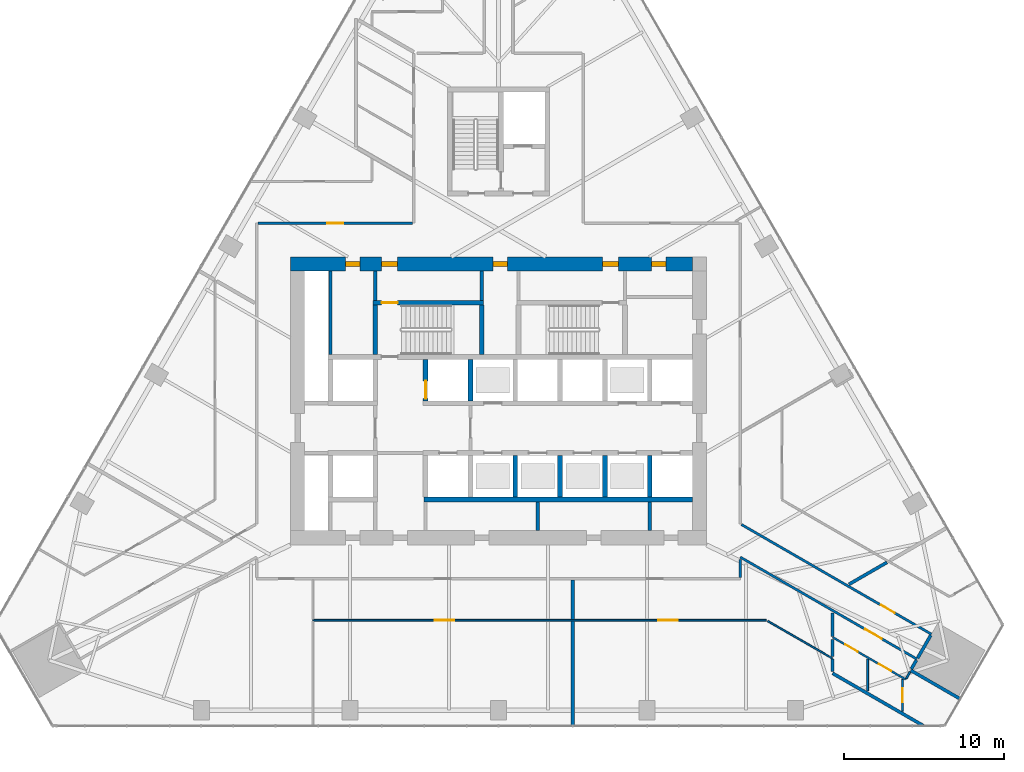
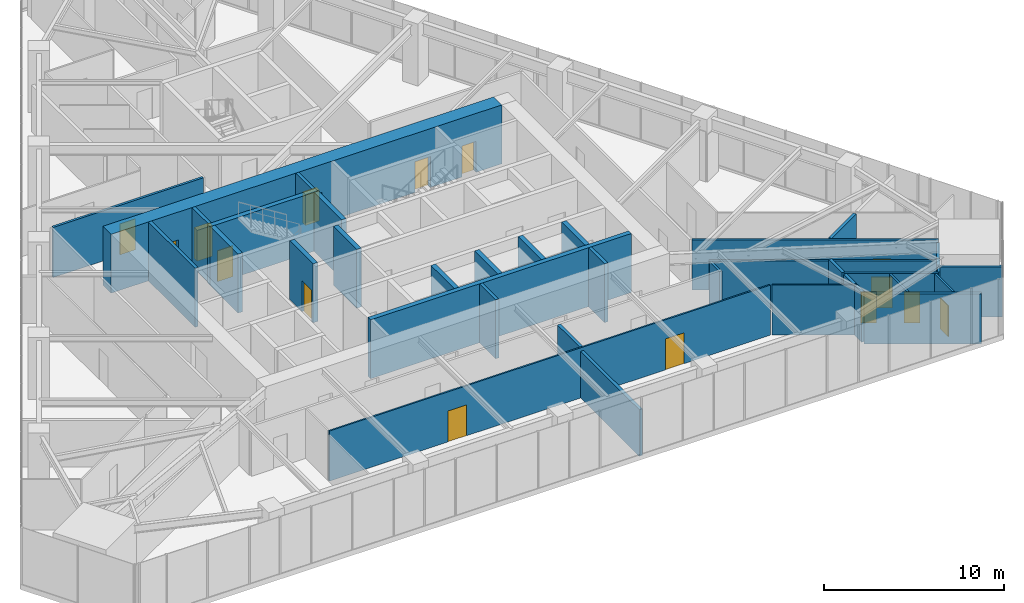
# One storey, part 17 of 22: 36 walls, 15 doors, 15 openings.
"""IFC4 building model written with IfcOpenShell, lengths in metres."""

from ifc_helpers import new_model, si_unit, direction, frame, frame_2d, origin, place, context, subcontext, project, spatial, rectangle, extrude, material, layer, layer_set, type_object, element, fill, save


model = new_model("IFC4")

# Units and contexts
model_context = context("Model", 3, precision=1e-05, world=origin(), true_north=direction((0.0, 1.0)))
body_context = subcontext(model_context, "Body", "Model", "MODEL_VIEW")
ifc_project = project(units=[si_unit("LENGTHUNIT", "METRE"), si_unit("AREAUNIT", "SQUARE_METRE"), si_unit("VOLUMEUNIT", "CUBIC_METRE"), si_unit("PLANEANGLEUNIT", "RADIAN"), si_unit("MASSUNIT", "GRAM", prefix="KILO")], contexts=[model_context])

# Site, building, storey
site_placement = place(None, origin())
site = spatial("IfcSite", under=ifc_project, at=site_placement, CompositionType="ELEMENT")
building_placement = place(site_placement, origin())
building = spatial("IfcBuilding", under=site, at=building_placement, Name="Firuza Gate Tower and Library", CompositionType="ELEMENT")
storey_placement = place(building_placement, frame((0.0, 0.0, 132.39990234375)))
storey = spatial("IfcBuildingStorey", under=building, at=storey_placement, Name="L30", CompositionType="ELEMENT", Elevation=132.39990234375)

# Walls
ifc_material_1 = material(Name="Plasterboard on steel studs", Category="steel")
ifc_layer_1 = layer(ifc_material_1, 0.199951171875)
ifc_layer_set_1 = layer_set([ifc_layer_1], Name="Core partition 200 EI 120")
wall_type_1 = type_object("IfcWallType", Name="Core partition 200 EI 120", PredefinedType="PARTITIONING", material=ifc_layer_set_1)
wall_1_placement = place(storey_placement, frame((64.5, 77.89990234375, 0.0), z_axis=(0.0, 0.0, 1.0), x_axis=(0.0, 1.0, 0.0)))
element("IfcWall", 1, at=wall_1_placement, inside=storey, type_object=wall_type_1, Name="Core partition L30 6", PredefinedType="PARTITIONING", context=body_context, shape_type="SweptSolid", body=[
    extrude(rectangle(XDim=5.2001953125, YDim=0.199951171875, at=frame_2d((2.60009765625, 0.0))), origin(), (0.0, 0.0, 1.0), 4.0),
])
for number, where, z_axis, x_axis, name in (
    (2, (77.449951171875, 66.89990234375, 0.0), (0.0, 0.0, 1.0), (0.0, 1.0, 0.0), "Core partition L30 14"),
    (3, (84.449951171875, 66.89990234375, 0.0), (0.0, 0.0, 1.0), (0.0, 1.0, 0.0), "Core partition L30 16"),
):
    element("IfcWall", number, at=place(storey_placement, frame(where, z_axis=z_axis, x_axis=x_axis)), inside=storey, type_object=wall_type_1, Name=name, PredefinedType="PARTITIONING", context=body_context, shape_type="SweptSolid", body=[
        extrude(rectangle(XDim=1.800048828125, YDim=0.199951171875, at=frame_2d((0.89990234375, 0.0))), origin(), (0.0, 0.0, 1.0), 4.0),
    ])
ifc_material_2 = material(Name="Plasterboard on steel studs", Category="steel")
ifc_layer_2 = layer(ifc_material_2, 0.199951171875)
ifc_layer_set_2 = layer_set([ifc_layer_2], Name="Core partition 200 EI 60")
wall_type_2 = type_object("IfcWallType", Name="Core partition 200 EI 60", PredefinedType="PARTITIONING", material=ifc_layer_set_2)
for number, where, z_axis, x_axis, name in (
    (4, (67.300048828125, 81.280029296875, 0.0), (0.0, 0.0, 1.0), (0.0, 1.0, 0.0), "Core partition L30 9"),
    (5, (73.9599609375, 81.280029296875, 0.0), (0.0, 0.0, 1.0), (0.0, 1.0, 0.0), "Core partition L30 12"),
):
    element("IfcWall", number, at=place(storey_placement, frame(where, z_axis=z_axis, x_axis=x_axis)), inside=storey, type_object=wall_type_2, Name=name, PredefinedType="PARTITIONING", context=body_context, shape_type="SweptSolid", body=[
        extrude(rectangle(XDim=1.820068359375, YDim=0.199951171875, at=frame_2d((0.91015625, 0.0))), origin(), (0.0, 0.0, 1.0), 4.0),
    ])
ifc_material_3 = material(Name="Concrete C80/95", Category="concrete")
ifc_layer_3 = layer(ifc_material_3, 0.300048828125)
ifc_layer_set_3 = layer_set([ifc_layer_3], Name="Core wall 300 C80/95")
wall_type_3 = type_object("IfcWallType", Name="Core wall 300 C80/95", PredefinedType="SHEAR", material=ifc_layer_set_3)
wall_2_placement = place(storey_placement, frame((70.35009765625, 68.85009765625, 0.0), z_axis=(0.0, 0.0, 1.0), x_axis=(1.0, 0.0, 0.0)))
element("IfcWall", 6, at=wall_2_placement, inside=storey, type_object=wall_type_3, Name="Core wall L30 6", PredefinedType="SHEAR", context=body_context, shape_type="SweptSolid", body=[
    extrude(rectangle(XDim=16.75, YDim=0.300048828125, at=frame_2d((8.375, 0.0))), origin(), (0.0, 0.0, 1.0), 4.0),
])

# Wall, opening, door
wall_3_placement = place(storey_placement, frame((70.449951171875, 75.0, 0.0), z_axis=(0.0, 0.0, 1.0), x_axis=(0.0, 1.0, 0.0)))
wall_3 = element("IfcWall", 7, at=wall_3_placement, inside=storey, type_object=wall_type_3, Name="Core wall L30 16", PredefinedType="SHEAR", context=body_context, shape_type="SweptSolid", body=[
    extrude(rectangle(XDim=2.60009765625, YDim=0.300048828125, at=frame_2d((1.300048828125, 0.0))), origin(), (0.0, 0.0, 1.0), 4.0),
])
opening_1_placement = place(wall_3_placement, frame((0.14990234375, 0.0, 0.0)))
opening_1 = element("IfcOpeningElement", 8, at=opening_1_placement, cuts=wall_3, Name="Opening LD-FF2-L30", PredefinedType="OPENING", context=body_context, shape_type="SweptSolid", body=[
    extrude(rectangle(XDim=1.10009765625, YDim=2.10009765625, at=frame_2d((0.550048828125, 1.050048828125))), frame((0.0, 0.16015625, 0.0), z_axis=(0.0, -1.0, 0.0), x_axis=(1.0, 0.0, 0.0)), (0.0, 0.0, 1.0), 0.320068359375),
])
ifc_material_4 = material(Name="Stainless steel", Category="steel")
door_type_1 = type_object("IfcDoorType", Name="Lift landing door 1100x2100", OperationType="DOUBLE_DOOR_SLIDING", PredefinedType="DOOR", material=ifc_material_4)
door_1_placement = place(opening_1_placement, origin())
door_1 = element("IfcDoor", 9, at=door_1_placement, inside=storey, type_object=door_type_1, Name="Landing door FF2 L30", OperationType="DOUBLE_DOOR_SLIDING", OverallHeight=2.10009765625, OverallWidth=1.10009765625, PredefinedType="DOOR", context=body_context, shape_type="SweptSolid", body=[
    extrude(rectangle(XDim=1.10009765625, YDim=2.10009765625, at=frame_2d((0.550048828125, 1.050048828125))), frame((0.0, 0.02490234375, 0.0), z_axis=(0.0, -1.0, 0.0), x_axis=(1.0, 0.0, 0.0)), (0.0, 0.0, 1.0), 0.050048828125),
])
fill(opening_1, door_1)

# Walls
for number, where, z_axis, x_axis, name in (
    (10, (73.25, 75.0, 0.0), (0.0, 0.0, 1.0), (0.0, 1.0, 0.0), "Core wall L30 18"),
    (11, (76.050048828125, 69.0, 0.0), (0.0, 0.0, 1.0), (0.0, 1.0, 0.0), "Core wall L30 19"),
    (12, (78.85009765625, 69.0, 0.0), (0.0, 0.0, 1.0), (0.0, 1.0, 0.0), "Core wall L30 21"),
    (13, (81.64990234375, 69.0, 0.0), (0.0, 0.0, 1.0), (0.0, 1.0, 0.0), "Core wall L30 23"),
    (14, (84.449951171875, 69.0, 0.0), (0.0, 0.0, 1.0), (0.0, 1.0, 0.0), "Core wall L30 25"),
):
    element("IfcWall", number, at=place(storey_placement, frame(where, z_axis=z_axis, x_axis=x_axis)), inside=storey, type_object=wall_type_3, Name=name, PredefinedType="SHEAR", context=body_context, shape_type="SweptSolid", body=[
        extrude(rectangle(XDim=2.60009765625, YDim=0.300048828125, at=frame_2d((1.300048828125, 0.0))), origin(), (0.0, 0.0, 1.0), 4.0),
    ])

# Wall, opening, door
wall_4_placement = place(storey_placement, frame((67.14990234375, 81.1298828125, 0.0), z_axis=(0.0, 0.0, 1.0), x_axis=(1.0, 0.0, 0.0)))
wall_4 = element("IfcWall", 15, at=wall_4_placement, inside=storey, type_object=wall_type_3, Name="Core wall L30 28", PredefinedType="SHEAR", context=body_context, shape_type="SweptSolid", body=[
    extrude(rectangle(XDim=6.91015625, YDim=0.300048828125, at=frame_2d((3.455078125, 0.0))), origin(), (0.0, 0.0, 1.0), 4.0),
])
opening_2_placement = place(wall_4_placement, frame((0.544921875, 0.0, 0.0)))
opening_2 = element("IfcOpeningElement", 16, at=opening_2_placement, cuts=wall_4, Name="Opening L30-K13", PredefinedType="OPENING", context=body_context, shape_type="SweptSolid", body=[
    extrude(rectangle(XDim=1.0, YDim=2.10009765625, at=frame_2d((0.5, 1.050048828125))), frame((0.0, 0.16015625, 0.0), z_axis=(0.0, -1.0, 0.0), x_axis=(1.0, 0.0, 0.0)), (0.0, 0.0, 1.0), 0.320068359375),
])
ifc_material_5 = material(Name="Steel", Category="steel")
door_type_2 = type_object("IfcDoorType", Name="Fire door 1000x2100 FD90", OperationType="NOTDEFINED", PredefinedType="DOOR", material=ifc_material_5)
door_2_placement = place(opening_2_placement, origin())
door_2 = element("IfcDoor", 17, at=door_2_placement, inside=storey, type_object=door_type_2, Name="Door L30-K13", OperationType="SINGLE_SWING_RIGHT", OverallHeight=2.10009765625, OverallWidth=1.0, PredefinedType="DOOR", context=body_context, shape_type="SweptSolid", body=[
    extrude(rectangle(XDim=1.0, YDim=2.10009765625, at=frame_2d((0.5, 1.050048828125))), frame((0.0, 0.02490234375, 0.0), z_axis=(0.0, -1.0, 0.0), x_axis=(1.0, 0.0, 0.0)), (0.0, 0.0, 1.0), 0.050048828125),
])
fill(opening_2, door_2)

# Walls
for number, where, z_axis, x_axis, name in (
    (18, (67.300048828125, 77.89990234375, 0.0), (0.0, 0.0, 1.0), (0.0, 1.0, 0.0), "Core wall L30 30"),
    (19, (73.9599609375, 77.89990234375, 0.0), (0.0, 0.0, 1.0), (0.0, 1.0, 0.0), "Core wall L30 31"),
):
    element("IfcWall", number, at=place(storey_placement, frame(where, z_axis=z_axis, x_axis=x_axis)), inside=storey, type_object=wall_type_3, Name=name, PredefinedType="SHEAR", context=body_context, shape_type="SweptSolid", body=[
        extrude(rectangle(XDim=3.080078125, YDim=0.300048828125, at=frame_2d((1.5400390625, 0.0))), origin(), (0.0, 0.0, 1.0), 4.0),
    ])

# Wall, openings, doors
ifc_material_6 = material(Name="Concrete C80/95", Category="concrete")
ifc_layer_4 = layer(ifc_material_6, 0.89990234375)
ifc_layer_set_4 = layer_set([ifc_layer_4], Name="Core wall 900 C80/95")
wall_type_4 = type_object("IfcWallType", Name="Core wall 900 C80/95", PredefinedType="SHEAR", material=ifc_layer_set_4)
wall_5_placement = place(storey_placement, frame((62.0, 83.550048828125, 0.0), z_axis=(0.0, 0.0, 1.0), x_axis=(1.0, 0.0, 0.0)))
wall_5 = element("IfcWall", 20, at=wall_5_placement, inside=storey, type_object=wall_type_4, Name="Core wall L30 2", PredefinedType="SHEAR", context=body_context, shape_type="SweptSolid", body=[
    extrude(rectangle(XDim=25.10009765625, YDim=0.89990234375, at=frame_2d((12.550048828125, 0.0))), origin(), (0.0, 0.0, 1.0), 4.0),
])
opening_3_placement = place(wall_5_placement, frame((5.695068359375, 0.0, 0.0)))
opening_3 = element("IfcOpeningElement", 21, at=opening_3_placement, cuts=wall_5, Name="Opening L30-K14", PredefinedType="OPENING", context=body_context, shape_type="SweptSolid", body=[
    extrude(rectangle(XDim=1.0, YDim=2.10009765625, at=frame_2d((0.5, 1.050048828125))), frame((0.0, 0.4599609375, 0.0), z_axis=(0.0, -1.0, 0.0), x_axis=(1.0, 0.0, 0.0)), (0.0, 0.0, 1.0), 0.919921875),
])
opening_4_placement = place(wall_5_placement, frame((19.5048828125, 0.0, 0.0)))
opening_4 = element("IfcOpeningElement", 22, at=opening_4_placement, cuts=wall_5, Name="Opening L30-K16", PredefinedType="OPENING", context=body_context, shape_type="SweptSolid", body=[
    extrude(rectangle(XDim=1.0, YDim=2.10009765625, at=frame_2d((0.5, 1.050048828125))), frame((0.0, 0.4599609375, 0.0), z_axis=(0.0, -1.0, 0.0), x_axis=(1.0, 0.0, 0.0)), (0.0, 0.0, 1.0), 0.919921875),
])
opening_5_placement = place(wall_5_placement, frame((3.449951171875, 0.0, 0.0)))
opening_5 = element("IfcOpeningElement", 23, at=opening_5_placement, cuts=wall_5, Name="Opening L30-K29", PredefinedType="OPENING", context=body_context, shape_type="SweptSolid", body=[
    extrude(rectangle(XDim=0.89990234375, YDim=2.10009765625, at=frame_2d((0.449951171875, 1.050048828125))), frame((0.0, 0.4599609375, 0.0), z_axis=(0.0, -1.0, 0.0), x_axis=(1.0, 0.0, 0.0)), (0.0, 0.0, 1.0), 0.919921875),
])
opening_6_placement = place(wall_5_placement, frame((12.64990234375, 0.0, 0.0)))
opening_6 = element("IfcOpeningElement", 24, at=opening_6_placement, cuts=wall_5, Name="Opening L30-K30", PredefinedType="OPENING", context=body_context, shape_type="SweptSolid", body=[
    extrude(rectangle(XDim=0.89990234375, YDim=2.10009765625, at=frame_2d((0.449951171875, 1.050048828125))), frame((0.0, 0.4599609375, 0.0), z_axis=(0.0, -1.0, 0.0), x_axis=(1.0, 0.0, 0.0)), (0.0, 0.0, 1.0), 0.919921875),
])
opening_7_placement = place(wall_5_placement, frame((22.550048828125, 0.0, 0.0)))
opening_7 = element("IfcOpeningElement", 25, at=opening_7_placement, cuts=wall_5, Name="Opening L30-K32", PredefinedType="OPENING", context=body_context, shape_type="SweptSolid", body=[
    extrude(rectangle(XDim=0.89990234375, YDim=2.10009765625, at=frame_2d((0.449951171875, 1.050048828125))), frame((0.0, 0.4599609375, 0.0), z_axis=(0.0, -1.0, 0.0), x_axis=(1.0, 0.0, 0.0)), (0.0, 0.0, 1.0), 0.919921875),
])
door_3_placement = place(opening_3_placement, origin())
door_3 = element("IfcDoor", 26, at=door_3_placement, inside=storey, type_object=door_type_2, Name="Door L30-K14", OperationType="SINGLE_SWING_LEFT", OverallHeight=2.10009765625, OverallWidth=1.0, PredefinedType="DOOR", context=body_context, shape_type="SweptSolid", body=[
    extrude(rectangle(XDim=1.0, YDim=2.10009765625, at=frame_2d((0.5, 1.050048828125))), frame((0.0, 0.169921875, 0.0), z_axis=(0.0, -1.0, 0.0), x_axis=(1.0, 0.0, 0.0)), (0.0, 0.0, 1.0), 0.33984375),
])
fill(opening_3, door_3)
door_4_placement = place(opening_4_placement, origin())
door_4 = element("IfcDoor", 27, at=door_4_placement, inside=storey, type_object=door_type_2, Name="Door L30-K16", OperationType="SINGLE_SWING_LEFT", OverallHeight=2.10009765625, OverallWidth=1.0, PredefinedType="DOOR", context=body_context, shape_type="SweptSolid", body=[
    extrude(rectangle(XDim=1.0, YDim=2.10009765625, at=frame_2d((0.5, 1.050048828125))), frame((0.0, 0.169921875, 0.0), z_axis=(0.0, -1.0, 0.0), x_axis=(1.0, 0.0, 0.0)), (0.0, 0.0, 1.0), 0.33984375),
])
fill(opening_4, door_4)
ifc_material_7 = material(Name="Steel", Category="steel")
door_type_3 = type_object("IfcDoorType", Name="Fire door 900x2100 FD30S", OperationType="NOTDEFINED", PredefinedType="DOOR", material=ifc_material_7)
door_5_placement = place(opening_5_placement, origin())
door_5 = element("IfcDoor", 28, at=door_5_placement, inside=storey, type_object=door_type_3, Name="Door L30-K29", OperationType="SINGLE_SWING_RIGHT", OverallHeight=2.10009765625, OverallWidth=0.89990234375, PredefinedType="DOOR", context=body_context, shape_type="SweptSolid", body=[
    extrude(rectangle(XDim=0.89990234375, YDim=2.10009765625, at=frame_2d((0.449951171875, 1.050048828125))), frame((0.0, 0.169921875, 0.0), z_axis=(0.0, -1.0, 0.0), x_axis=(1.0, 0.0, 0.0)), (0.0, 0.0, 1.0), 0.33984375),
])
fill(opening_5, door_5)
door_6_placement = place(opening_6_placement, origin())
door_6 = element("IfcDoor", 29, at=door_6_placement, inside=storey, type_object=door_type_3, Name="Door L30-K30", OperationType="SINGLE_SWING_LEFT", OverallHeight=2.10009765625, OverallWidth=0.89990234375, PredefinedType="DOOR", context=body_context, shape_type="SweptSolid", body=[
    extrude(rectangle(XDim=0.89990234375, YDim=2.10009765625, at=frame_2d((0.449951171875, 1.050048828125))), frame((0.0, 0.169921875, 0.0), z_axis=(0.0, -1.0, 0.0), x_axis=(1.0, 0.0, 0.0)), (0.0, 0.0, 1.0), 0.33984375),
])
fill(opening_6, door_6)
door_7_placement = place(opening_7_placement, origin())
door_7 = element("IfcDoor", 30, at=door_7_placement, inside=storey, type_object=door_type_3, Name="Door L30-K32", OperationType="SINGLE_SWING_LEFT", OverallHeight=2.10009765625, OverallWidth=0.89990234375, PredefinedType="DOOR", context=body_context, shape_type="SweptSolid", body=[
    extrude(rectangle(XDim=0.89990234375, YDim=2.10009765625, at=frame_2d((0.449951171875, 1.050048828125))), frame((0.0, 0.169921875, 0.0), z_axis=(0.0, -1.0, 0.0), x_axis=(1.0, 0.0, 0.0)), (0.0, 0.0, 1.0), 0.33984375),
])
fill(opening_7, door_7)

# Wall, opening, door
ifc_material_8 = material(Name="Gypsum board partition")
ifc_layer_5 = layer(ifc_material_8, 0.14990234375)
ifc_layer_set_5 = layer_set([ifc_layer_5], Name="Corridor wall 150 double board on steel studs")
wall_type_5 = type_object("IfcWallType", Name="Corridor wall 150 double board on steel studs", PredefinedType="PARTITIONING", material=ifc_layer_set_5)
wall_6_placement = place(storey_placement, frame((59.9755859375, 86.10009765625, 0.0), z_axis=(0.0, 0.0, 1.0), x_axis=(1.0, 0.0, 0.0)))
wall_6 = element("IfcWall", 31, at=wall_6_placement, inside=storey, type_object=wall_type_5, Name="f:L30:w002", PredefinedType="PARTITIONING", context=body_context, shape_type="SweptSolid", body=[
    extrude(rectangle(XDim=9.6494140625, YDim=0.14990234375, at=frame_2d((4.82470703125, 0.0))), origin(), (0.0, 0.0, 1.0), 3.400146484375),
])
opening_8_placement = place(wall_6_placement, frame((4.32470703125, 0.0, 0.0)))
opening_8 = element("IfcOpeningElement", 32, at=opening_8_placement, cuts=wall_6, Name="Opening L30-06", PredefinedType="OPENING", context=body_context, shape_type="SweptSolid", body=[
    extrude(rectangle(XDim=1.0, YDim=2.10009765625, at=frame_2d((0.5, 1.050048828125))), frame((0.0, 0.0849609375, 0.0), z_axis=(0.0, -1.0, 0.0), x_axis=(1.0, 0.0, 0.0)), (0.0, 0.0, 1.0), 0.169921875),
])
ifc_material_9 = material(Name="Steel door and timber leaf", Category="steel")
door_type_4 = type_object("IfcDoorType", Name="Fire door 1000 x 2100 steel frame, timber leaf", OperationType="NOTDEFINED", PredefinedType="DOOR", material=ifc_material_9)
door_8_placement = place(opening_8_placement, origin())
door_8 = element("IfcDoor", 33, at=door_8_placement, inside=storey, type_object=door_type_4, Name="f:L30:d006", OperationType="SINGLE_SWING_RIGHT", OverallHeight=2.10009765625, OverallWidth=1.0, PredefinedType="DOOR", context=body_context, shape_type="SweptSolid", body=[
    extrude(rectangle(XDim=1.0, YDim=2.10009765625, at=frame_2d((0.5, 1.050048828125))), frame((0.0, 0.02490234375, 0.0), z_axis=(0.0, -1.0, 0.0), x_axis=(1.0, 0.0, 0.0)), (0.0, 0.0, 1.0), 0.050048828125),
])
fill(opening_8, door_8)

# Wall
wall_7_placement = place(storey_placement, frame((90.10009765625, 63.97509765625, 0.0), z_axis=(0.0, 0.0, 1.0), x_axis=(0.0, 1.0, 0.0)))
element("IfcWall", 34, at=wall_7_placement, inside=storey, type_object=wall_type_5, Name="f:L30:w028", PredefinedType="PARTITIONING", context=body_context, shape_type="SweptSolid", body=[
    extrude(rectangle(XDim=1.131103515625, YDim=0.14990234375, at=frame_2d((0.5654296875, 0.0))), origin(), (0.0, 0.0, 1.0), 3.2470703125),
])

# Wall, opening, door
wall_8_placement = place(storey_placement, frame((90.175048828125, 67.278076171875, 0.0), z_axis=(0.0, 0.0, 1.0), x_axis=(0.866022903348, -0.500004330858, 0.0)))
wall_8 = element("IfcWall", 35, at=wall_8_placement, inside=storey, type_object=wall_type_5, Name="f:L30:w055", PredefinedType="PARTITIONING", context=body_context, shape_type="SweptSolid", body=[
    extrude(rectangle(XDim=13.6953125, YDim=0.14990234375, at=frame_2d((6.84765625, 0.0))), origin(), (0.0, 0.0, 1.0), 3.400146484375),
])
opening_9_placement = place(wall_8_placement, frame((10.049560546875, 0.0, 0.0)))
opening_9 = element("IfcOpeningElement", 36, at=opening_9_placement, cuts=wall_8, Name="Opening L30-27", PredefinedType="OPENING", context=body_context, shape_type="SweptSolid", body=[
    extrude(rectangle(XDim=1.0, YDim=2.10009765625, at=frame_2d((0.5, 1.050048828125))), frame((0.0, 0.0849609375, 0.0), z_axis=(0.0, -1.0, 0.0), x_axis=(1.0, 0.0, 0.0)), (0.0, 0.0, 1.0), 0.169921875),
])
door_9_placement = place(opening_9_placement, origin())
door_9 = element("IfcDoor", 37, at=door_9_placement, inside=storey, type_object=door_type_4, Name="f:L30:d027", OperationType="SINGLE_SWING_LEFT", OverallHeight=2.10009765625, OverallWidth=1.0, PredefinedType="DOOR", context=body_context, shape_type="SweptSolid", body=[
    extrude(rectangle(XDim=1.0, YDim=2.10009765625, at=frame_2d((0.5, 1.050048828125))), frame((0.0, 0.02490234375, 0.0), z_axis=(0.0, -1.0, 0.0), x_axis=(1.0, 0.0, 0.0)), (0.0, 0.0, 1.0), 0.050048828125),
])
fill(opening_9, door_9)

wall_9_placement = place(storey_placement, frame((101.1357421875, 58.871337890625, 0.0), z_axis=(0.0, 0.0, 1.0), x_axis=(-0.866020317169, 0.500008810174, 0.0)))
wall_9 = element("IfcWall", 38, at=wall_9_placement, inside=storey, type_object=wall_type_5, Name="f:L30:w056", PredefinedType="PARTITIONING", context=body_context, shape_type="SweptSolid", body=[
    extrude(rectangle(XDim=12.742919921875, YDim=0.14990234375, at=frame_2d((6.37158203125, 0.0))), origin(), (0.0, 0.0, 1.0), 3.2470703125),
])
opening_10_placement = place(wall_9_placement, frame((2.5458984375, 0.0, 0.0)))
opening_10 = element("IfcOpeningElement", 39, at=opening_10_placement, cuts=wall_9, Name="Opening L30-28", PredefinedType="OPENING", context=body_context, shape_type="SweptSolid", body=[
    extrude(rectangle(XDim=1.199951171875, YDim=2.10009765625, at=frame_2d((0.60009765625, 1.050048828125))), frame((0.0, 0.0849609375, 0.0), z_axis=(0.0, -1.0, 0.0), x_axis=(1.0, 0.0, 0.0)), (0.0, 0.0, 1.0), 0.169921875),
])
ifc_material_10 = material(Name="Steel door and timber leaf", Category="steel")
door_type_5 = type_object("IfcDoorType", Name="Fire door 1200 x 2100 steel frame, double leaf", OperationType="NOTDEFINED", PredefinedType="DOOR", material=ifc_material_10)
door_10_placement = place(opening_10_placement, origin())
door_10 = element("IfcDoor", 40, at=door_10_placement, inside=storey, type_object=door_type_5, Name="f:L30:d028", OperationType="DOUBLE_DOOR_SINGLE_SWING", OverallHeight=2.10009765625, OverallWidth=1.199951171875, PredefinedType="DOOR", context=body_context, shape_type="SweptSolid", body=[
    extrude(rectangle(XDim=1.199951171875, YDim=2.10009765625, at=frame_2d((0.60009765625, 1.050048828125))), frame((0.0, 0.02490234375, 0.0), z_axis=(0.0, -1.0, 0.0), x_axis=(1.0, 0.0, 0.0)), (0.0, 0.0, 1.0), 0.050048828125),
])
fill(opening_10, door_10)

# Walls
ifc_material_11 = material(Name="Gypsum board partition")
ifc_layer_6 = layer(ifc_material_11, 0.199951171875)
ifc_layer_set_6 = layer_set([ifc_layer_6], Name="Demising wall 200 acoustic double stud")
wall_type_6 = type_object("IfcWallType", Name="Demising wall 200 acoustic double stud", PredefinedType="PARTITIONING", material=ifc_layer_set_6)
wall_10_placement = place(storey_placement, frame((96.8896484375, 63.547607421875, 0.0), z_axis=(0.0, 0.0, 1.0), x_axis=(0.86604168154, 0.499971805041, 0.0)))
element("IfcWall", 41, at=wall_10_placement, inside=storey, type_object=wall_type_6, Name="f:L30:w011", PredefinedType="PARTITIONING", context=body_context, shape_type="SweptSolid", body=[
    extrude(rectangle(XDim=2.740478515625, YDim=0.199951171875, at=frame_2d((1.3701171875, 0.0))), origin(), (0.0, 0.0, 1.0), 3.400146484375),
])
wall_11_placement = place(storey_placement, frame((100.786376953125, 58.26513671875, 0.0), z_axis=(0.0, 0.0, 1.0), x_axis=(0.499880341542, 0.866094477606, 0.0)))
element("IfcWall", 42, at=wall_11_placement, inside=storey, type_object=wall_type_6, Name="f:L30:w023", PredefinedType="PARTITIONING", context=body_context, shape_type="SweptSolid", body=[
    extrude(rectangle(XDim=0.624755859375, YDim=0.199951171875, at=frame_2d((0.3125, 0.0))), origin(), (0.0, 0.0, 1.0), 3.400146484375),
])
wall_12_placement = place(storey_placement, frame((95.863037109375, 58.105224609375, 0.0), z_axis=(0.0, 0.0, 1.0), x_axis=(0.0, 1.0, 0.0)))
element("IfcWall", 43, at=wall_12_placement, inside=storey, type_object=wall_type_6, Name="f:L30:w026", PredefinedType="PARTITIONING", context=body_context, shape_type="SweptSolid", body=[
    extrude(rectangle(XDim=0.76513671875, YDim=0.199951171875, at=frame_2d((0.382568359375, 0.0))), origin(), (0.0, 0.0, 1.0), 3.400146484375),
])
wall_13_placement = place(storey_placement, frame((79.635986328125, 54.722900390625, 0.0), z_axis=(0.0, 0.0, 1.0), x_axis=(0.0, 1.0, 0.0)))
element("IfcWall", 44, at=wall_13_placement, inside=storey, type_object=wall_type_6, Name="f:L30:w031", PredefinedType="PARTITIONING", context=body_context, shape_type="SweptSolid", body=[
    extrude(rectangle(XDim=6.527099609375, YDim=0.199951171875, at=frame_2d((3.263671875, 0.0))), origin(), (0.0, 0.0, 1.0), 3.1650390625),
])
wall_14_placement = place(storey_placement, frame((103.81884765625, 56.3984375, 0.0), z_axis=(0.0, 0.0, 1.0), x_axis=(-0.866004308173, 0.500036536891, 0.0)))
element("IfcWall", 45, at=wall_14_placement, inside=storey, type_object=wall_type_6, Name="f:L30:w057", PredefinedType="PARTITIONING", context=body_context, shape_type="SweptSolid", body=[
    extrude(rectangle(XDim=3.543701171875, YDim=0.199951171875, at=frame_2d((1.77197265625, 0.0))), origin(), (0.0, 0.0, 1.0), 3.400146484375),
])
wall_15_placement = place(storey_placement, frame((101.52099609375, 54.722900390625, 0.0), z_axis=(0.0, 0.0, 1.0), x_axis=(-0.866020061583, 0.50000925285, 0.0)))
element("IfcWall", 46, at=wall_15_placement, inside=storey, type_object=wall_type_6, Name="f:L30:w061", PredefinedType="PARTITIONING", context=body_context, shape_type="SweptSolid", body=[
    extrude(rectangle(XDim=6.53369140625, YDim=0.199951171875, at=frame_2d((3.266845703125, 0.0))), origin(), (0.0, 0.0, 1.0), 3.400146484375),
])
wall_16_placement = place(storey_placement, frame((79.635986328125, 61.35009765625, 0.0), z_axis=(0.0, 0.0, 1.0), x_axis=(0.0, 1.0, 0.0)))
element("IfcWall", 47, at=wall_16_placement, inside=storey, type_object=wall_type_6, Name="f:L30:w064", PredefinedType="PARTITIONING", context=body_context, shape_type="SweptSolid", body=[
    extrude(rectangle(XDim=2.474853515625, YDim=0.199951171875, at=frame_2d((1.2373046875, 0.0))), origin(), (0.0, 0.0, 1.0), 3.400146484375),
])
wall_17_placement = place(storey_placement, frame((101.173828125, 58.93603515625, 0.0), z_axis=(0.0, 0.0, 1.0), x_axis=(0.499991515992, 0.866030301974, 0.0)))
element("IfcWall", 48, at=wall_17_placement, inside=storey, type_object=wall_type_6, Name="f:L30:w070", PredefinedType="PARTITIONING", context=body_context, shape_type="SweptSolid", body=[
    extrude(rectangle(XDim=1.6494140625, YDim=0.199951171875, at=frame_2d((0.82470703125, 0.0))), origin(), (0.0, 0.0, 1.0), 3.2470703125),
])
wall_18_placement = place(storey_placement, frame((95.863037109375, 60.29345703125, 0.0), z_axis=(0.0, 0.0, 1.0), x_axis=(0.0, 1.0, 0.0)))
element("IfcWall", 49, at=wall_18_placement, inside=storey, type_object=wall_type_6, Name="f:L30:w071", PredefinedType="PARTITIONING", context=body_context, shape_type="SweptSolid", body=[
    extrude(rectangle(XDim=1.4755859375, YDim=0.199951171875, at=frame_2d((0.73779296875, 0.0))), origin(), (0.0, 0.0, 1.0), 3.400146484375),
])
wall_19_placement = place(storey_placement, frame((95.863037109375, 59.02880859375, 0.0), z_axis=(0.0, 0.0, 1.0), x_axis=(0.0, 1.0, 0.0)))
element("IfcWall", 50, at=wall_19_placement, inside=storey, type_object=wall_type_6, Name="f:L30:w074", PredefinedType="PARTITIONING", context=body_context, shape_type="SweptSolid", body=[
    extrude(rectangle(XDim=1.08544921875, YDim=0.199951171875, at=frame_2d((0.542724609375, 0.0))), origin(), (0.0, 0.0, 1.0), 3.400146484375),
])

# Wall, openings, doors
ifc_material_12 = material(Name="Gypsum board partition")
ifc_layer_7 = layer(ifc_material_12, 0.10009765625)
ifc_layer_set_7 = layer_set([ifc_layer_7], Name="Partition 100 gypsum board on steel studs")
wall_type_7 = type_object("IfcWallType", Name="Partition 100 gypsum board on steel studs", PredefinedType="PARTITIONING", material=ifc_layer_set_7)
wall_20_placement = place(storey_placement, frame((63.40966796875, 61.300048828125, 0.0), z_axis=(0.0, 0.0, 1.0), x_axis=(1.0, 0.0, 0.0)))
wall_20 = element("IfcWall", 51, at=wall_20_placement, inside=storey, type_object=wall_type_7, Name="f:L30:w000", PredefinedType="PARTITIONING", context=body_context, shape_type="SweptSolid", body=[
    extrude(rectangle(XDim=28.3193359375, YDim=0.10009765625, at=frame_2d((14.15966796875, 0.0))), origin(), (0.0, 0.0, 1.0), 3.400146484375),
])
opening_11_placement = place(wall_20_placement, frame((7.61328125, 0.0, 0.0)))
opening_11 = element("IfcOpeningElement", 52, at=opening_11_placement, cuts=wall_20, Name="Opening L30-01", PredefinedType="OPENING", context=body_context, shape_type="SweptSolid", body=[
    extrude(rectangle(XDim=1.199951171875, YDim=2.10009765625, at=frame_2d((0.60009765625, 1.050048828125))), frame((0.0, 0.06005859375, 0.0), z_axis=(0.0, -1.0, 0.0), x_axis=(1.0, 0.0, 0.0)), (0.0, 0.0, 1.0), 0.1201171875),
])
opening_12_placement = place(wall_20_placement, frame((21.572998046875, 0.0, 0.0)))
opening_12 = element("IfcOpeningElement", 53, at=opening_12_placement, cuts=wall_20, Name="Opening L30-02", PredefinedType="OPENING", context=body_context, shape_type="SweptSolid", body=[
    extrude(rectangle(XDim=1.199951171875, YDim=2.10009765625, at=frame_2d((0.60009765625, 1.050048828125))), frame((0.0, 0.06005859375, 0.0), z_axis=(0.0, -1.0, 0.0), x_axis=(1.0, 0.0, 0.0)), (0.0, 0.0, 1.0), 0.1201171875),
])
ifc_material_13 = material(Name="Glazed aluminium door", Category="aluminium")
door_type_6 = type_object("IfcDoorType", Name="Door 1200 x 2100 glazed double leaf", OperationType="NOTDEFINED", PredefinedType="DOOR", material=ifc_material_13)
door_11_placement = place(opening_11_placement, origin())
door_11 = element("IfcDoor", 54, at=door_11_placement, inside=storey, type_object=door_type_6, Name="f:L30:d001", OperationType="DOUBLE_DOOR_SINGLE_SWING", OverallHeight=2.10009765625, OverallWidth=1.199951171875, PredefinedType="DOOR", context=body_context, shape_type="SweptSolid", body=[
    extrude(rectangle(XDim=1.199951171875, YDim=2.10009765625, at=frame_2d((0.60009765625, 1.050048828125))), frame((0.0, 0.02490234375, 0.0), z_axis=(0.0, -1.0, 0.0), x_axis=(1.0, 0.0, 0.0)), (0.0, 0.0, 1.0), 0.050048828125),
])
fill(opening_11, door_11)
door_12_placement = place(opening_12_placement, origin())
door_12 = element("IfcDoor", 55, at=door_12_placement, inside=storey, type_object=door_type_6, Name="f:L30:d002", OperationType="DOUBLE_DOOR_SINGLE_SWING", OverallHeight=2.10009765625, OverallWidth=1.199951171875, PredefinedType="DOOR", context=body_context, shape_type="SweptSolid", body=[
    extrude(rectangle(XDim=1.199951171875, YDim=2.10009765625, at=frame_2d((0.60009765625, 1.050048828125))), frame((0.0, 0.02490234375, 0.0), z_axis=(0.0, -1.0, 0.0), x_axis=(1.0, 0.0, 0.0)), (0.0, 0.0, 1.0), 0.050048828125),
])
fill(opening_12, door_12)

# Walls
wall_21_placement = place(storey_placement, frame((95.86279296875, 58.91357421875, 0.0), z_axis=(0.0, 0.0, 1.0), x_axis=(-0.866042039906, 0.499971184285, 0.0)))
element("IfcWall", 56, at=wall_21_placement, inside=storey, type_object=wall_type_7, Name="f:L30:w060", PredefinedType="PARTITIONING", context=body_context, shape_type="SweptSolid", body=[
    extrude(rectangle(XDim=4.673095703125, YDim=0.10009765625, at=frame_2d((2.33642578125, 0.0))), origin(), (0.0, 0.0, 1.0), 3.400146484375),
])
ifc_material_14 = material(Name="Gypsum board partition")
ifc_layer_8 = layer(ifc_material_14, 0.1201171875)
ifc_layer_set_8 = layer_set([ifc_layer_8], Name="Wet-area partition 120 moisture-resistant board")
wall_type_8 = type_object("IfcWallType", Name="Wet-area partition 120 moisture-resistant board", PredefinedType="PARTITIONING", material=ifc_layer_set_8)
wall_22_placement = place(storey_placement, frame((100.4580078125, 57.658203125, 0.0), z_axis=(0.0, 0.0, 1.0), x_axis=(0.499895202697, 0.866085900082, 0.0)))
element("IfcWall", 57, at=wall_22_placement, inside=storey, type_object=wall_type_8, Name="f:L30:w022", PredefinedType="PARTITIONING", context=body_context, shape_type="SweptSolid", body=[
    extrude(rectangle(XDim=0.4892578125, YDim=0.1201171875, at=frame_2d((0.24462890625, 0.0))), origin(), (0.0, 0.0, 1.0), 3.400146484375),
])

# Wall, opening, door
wall_23_placement = place(storey_placement, frame((100.23095703125, 55.623291015625, 0.0), z_axis=(0.0, 0.0, 1.0), x_axis=(0.0, 1.0, 0.0)))
wall_23 = element("IfcWall", 58, at=wall_23_placement, inside=storey, type_object=wall_type_8, Name="f:L30:w024", PredefinedType="PARTITIONING", context=body_context, shape_type="SweptSolid", body=[
    extrude(rectangle(XDim=1.98681640625, YDim=0.1201171875, at=frame_2d((0.993408203125, 0.0))), origin(), (0.0, 0.0, 1.0), 3.400146484375),
])
opening_13_placement = place(wall_23_placement, frame((0.54345703125, 0.0, 0.0)))
opening_13 = element("IfcOpeningElement", 59, at=opening_13_placement, cuts=wall_23, Name="Opening L30-16", PredefinedType="OPENING", context=body_context, shape_type="SweptSolid", body=[
    extrude(rectangle(XDim=0.89990234375, YDim=2.10009765625, at=frame_2d((0.449951171875, 1.050048828125))), frame((0.0, 0.070068359375, 0.0), z_axis=(0.0, -1.0, 0.0), x_axis=(1.0, 0.0, 0.0)), (0.0, 0.0, 1.0), 0.14013671875),
])
ifc_material_15 = material(Name="Timber door", Category="wood")
door_type_7 = type_object("IfcDoorType", Name="Door 900 x 2100 timber leaf", OperationType="NOTDEFINED", PredefinedType="DOOR", material=ifc_material_15)
door_13_placement = place(opening_13_placement, origin())
door_13 = element("IfcDoor", 60, at=door_13_placement, inside=storey, type_object=door_type_7, Name="f:L30:d016", OperationType="SINGLE_SWING_LEFT", OverallHeight=2.10009765625, OverallWidth=0.89990234375, PredefinedType="DOOR", context=body_context, shape_type="SweptSolid", body=[
    extrude(rectangle(XDim=0.89990234375, YDim=2.10009765625, at=frame_2d((0.449951171875, 1.050048828125))), frame((0.0, 0.02490234375, 0.0), z_axis=(0.0, -1.0, 0.0), x_axis=(1.0, 0.0, 0.0)), (0.0, 0.0, 1.0), 0.050048828125),
])
fill(opening_13, door_13)

# Wall
wall_24_placement = place(storey_placement, frame((98.047119140625, 56.88427734375, 0.0), z_axis=(0.0, 0.0, 1.0), x_axis=(0.0, 1.0, 0.0)))
element("IfcWall", 61, at=wall_24_placement, inside=storey, type_object=wall_type_8, Name="f:L30:w025", PredefinedType="PARTITIONING", context=body_context, shape_type="SweptSolid", body=[
    extrude(rectangle(XDim=1.98681640625, YDim=0.1201171875, at=frame_2d((0.993408203125, 0.0))), origin(), (0.0, 0.0, 1.0), 3.400146484375),
])

# Wall, openings, doors
wall_25_placement = place(storey_placement, frame((95.86279296875, 60.241455078125, 0.0), z_axis=(0.0, 0.0, 1.0), x_axis=(0.866028224559, -0.499995114243, 0.0)))
wall_25 = element("IfcWall", 62, at=wall_25_placement, inside=storey, type_object=wall_type_8, Name="f:L30:w059", PredefinedType="PARTITIONING", context=body_context, shape_type="SweptSolid", body=[
    extrude(rectangle(XDim=5.2705078125, YDim=0.1201171875, at=frame_2d((2.63525390625, 0.0))), origin(), (0.0, 0.0, 1.0), 3.400146484375),
])
opening_14_placement = place(wall_25_placement, frame((0.912841796875, 0.0, 0.0)))
opening_14 = element("IfcOpeningElement", 63, at=opening_14_placement, cuts=wall_25, Name="Opening L30-29", PredefinedType="OPENING", context=body_context, shape_type="SweptSolid", body=[
    extrude(rectangle(XDim=0.89990234375, YDim=2.10009765625, at=frame_2d((0.449951171875, 1.050048828125))), frame((0.0, 0.070068359375, 0.0), z_axis=(0.0, -1.0, 0.0), x_axis=(1.0, 0.0, 0.0)), (0.0, 0.0, 1.0), 0.14013671875),
])
opening_15_placement = place(wall_25_placement, frame((3.333251953125, 0.0, 0.0)))
opening_15 = element("IfcOpeningElement", 64, at=opening_15_placement, cuts=wall_25, Name="Opening L30-30", PredefinedType="OPENING", context=body_context, shape_type="SweptSolid", body=[
    extrude(rectangle(XDim=0.89990234375, YDim=2.10009765625, at=frame_2d((0.449951171875, 1.050048828125))), frame((0.0, 0.070068359375, 0.0), z_axis=(0.0, -1.0, 0.0), x_axis=(1.0, 0.0, 0.0)), (0.0, 0.0, 1.0), 0.14013671875),
])
door_14_placement = place(opening_14_placement, origin())
door_14 = element("IfcDoor", 65, at=door_14_placement, inside=storey, type_object=door_type_7, Name="f:L30:d029", OperationType="SINGLE_SWING_RIGHT", OverallHeight=2.10009765625, OverallWidth=0.89990234375, PredefinedType="DOOR", context=body_context, shape_type="SweptSolid", body=[
    extrude(rectangle(XDim=0.89990234375, YDim=2.10009765625, at=frame_2d((0.449951171875, 1.050048828125))), frame((0.0, 0.02490234375, 0.0), z_axis=(0.0, -1.0, 0.0), x_axis=(1.0, 0.0, 0.0)), (0.0, 0.0, 1.0), 0.050048828125),
])
fill(opening_14, door_14)
door_15_placement = place(opening_15_placement, origin())
door_15 = element("IfcDoor", 66, at=door_15_placement, inside=storey, type_object=door_type_7, Name="f:L30:d030", OperationType="SINGLE_SWING_LEFT", OverallHeight=2.10009765625, OverallWidth=0.89990234375, PredefinedType="DOOR", context=body_context, shape_type="SweptSolid", body=[
    extrude(rectangle(XDim=0.89990234375, YDim=2.10009765625, at=frame_2d((0.449951171875, 1.050048828125))), frame((0.0, 0.02490234375, 0.0), z_axis=(0.0, -1.0, 0.0), x_axis=(1.0, 0.0, 0.0)), (0.0, 0.0, 1.0), 0.050048828125),
])
fill(opening_15, door_15)

save(model, "model.ifc")
